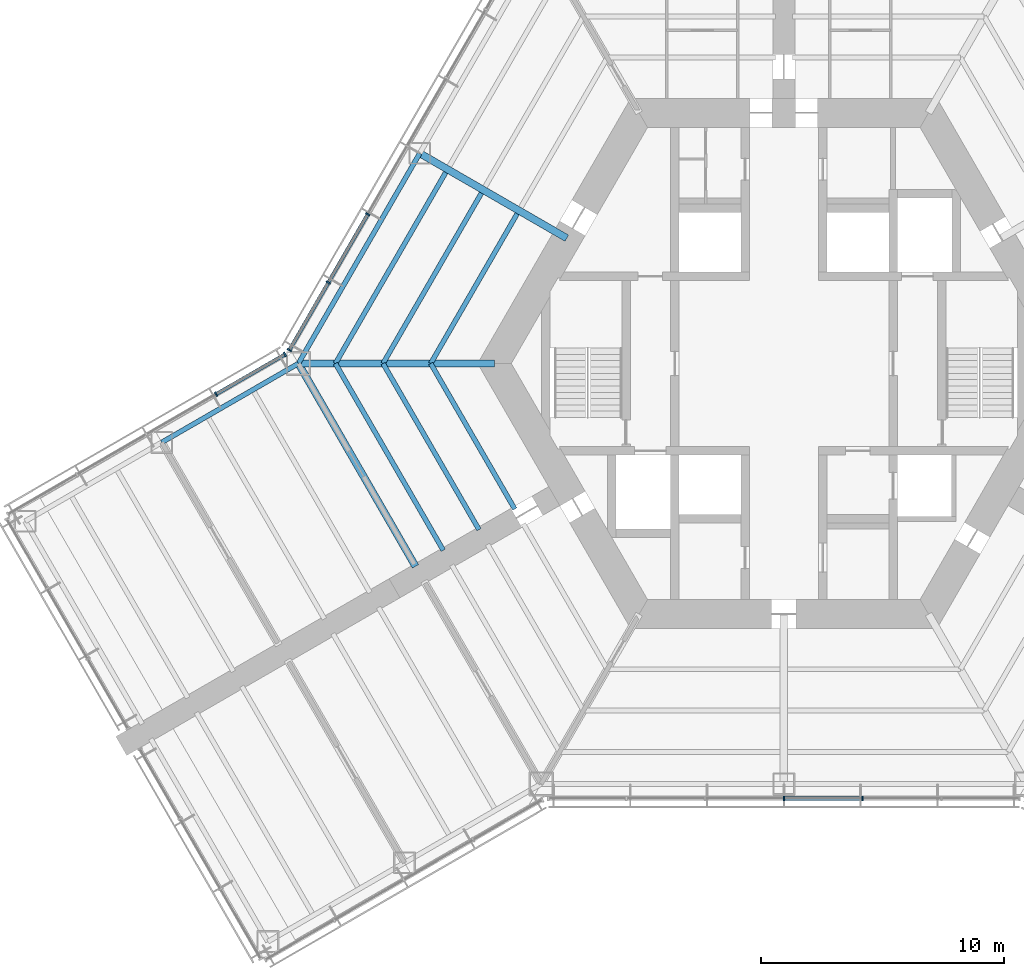
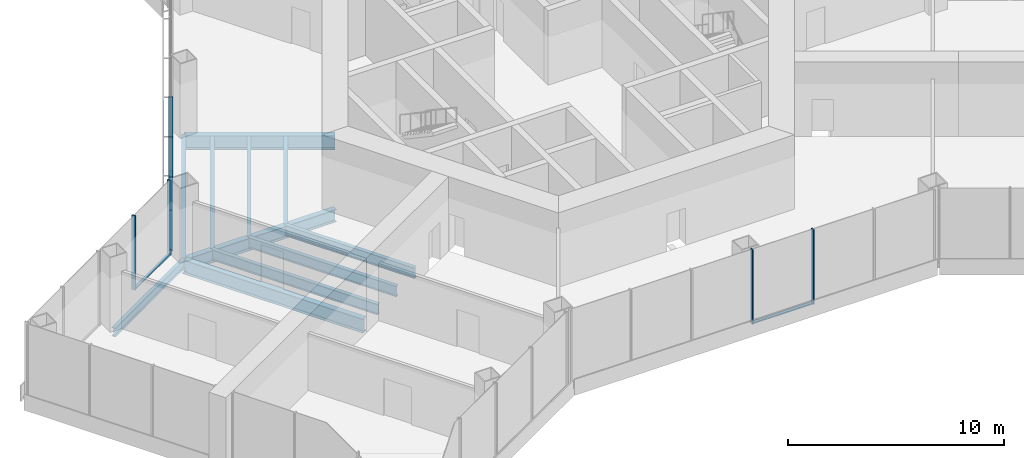
# One storey, part 3 of 15: 11 beams, 11 members, 3 elements without a shape of their own.
"""IFC4 building model written with IfcOpenShell, lengths in metres."""

from ifc_helpers import new_model, si_unit, direction, frame, origin, origin_2d, place, context, subcontext, project, spatial, rectangle, i_section, extrude, material, material_profile, profile_set, type_object, element, aggregate, save


model = new_model("IFC4")

# Units and contexts
model_context = context("Model", 3, precision=1e-05, world=origin(), true_north=direction((0.0, 1.0)))
body_context = subcontext(model_context, "Body", "Model", "MODEL_VIEW")
ifc_project = project(units=[si_unit("LENGTHUNIT", "METRE"), si_unit("AREAUNIT", "SQUARE_METRE"), si_unit("VOLUMEUNIT", "CUBIC_METRE"), si_unit("PLANEANGLEUNIT", "RADIAN"), si_unit("MASSUNIT", "GRAM", prefix="KILO")], contexts=[model_context])

# Site, building, storey
site_placement = place(None, origin())
site = spatial("IfcSite", under=ifc_project, at=site_placement, CompositionType="ELEMENT")
building_placement = place(site_placement, origin())
building = spatial("IfcBuilding", under=site, at=building_placement, Name="Kasaneha Research Tower", CompositionType="ELEMENT")
storey_placement = place(building_placement, frame((0.0, 0.0, 35.199951171875)))
storey = spatial("IfcBuildingStorey", under=building, at=storey_placement, Name="L09", CompositionType="ELEMENT", Elevation=35.199951171875)

# Beams
ifc_material_1 = material(Name="Steel SN490B", Category="steel")
ifc_material_profile_1 = material_profile(ifc_material_1, i_section(OverallWidth=0.199951171875, OverallDepth=0.60009765625, WebThickness=0.010986328125, FlangeThickness=0.01708984375, FilletRadius=0.012939453125, at=origin_2d()), Name="H-600x200x11x17")
ifc_profile_set_1 = profile_set([ifc_material_profile_1], Name="Steel SN490B")
beam_type_1 = type_object("IfcBeamType", Name="B1-2 secondary beam H-600x200x11x17", PredefinedType="JOIST", material=ifc_profile_set_1)
beam_1_placement = place(storey_placement, frame((-14.54931640625, 0.0, -0.469970703125), z_axis=(0.500016104636, 0.866016105569, 0.0), x_axis=(-0.866016105569, 0.500016104636, 0.0)))
element("IfcBeam", 1, at=beam_1_placement, inside=storey, type_object=beam_type_1, Name="Secondary beam RS150R1 L09", PredefinedType="JOIST", context=body_context, shape_type="SweptSolid", body=[
    extrude(i_section(OverallWidth=0.199951171875, OverallDepth=0.60009765625, WebThickness=0.010986328125, FlangeThickness=0.01708984375, FilletRadius=0.012939453125, at=origin_2d()), origin(), (0.0, 0.0, 1.0), 7.124755859375),
])
beam_2_placement = place(storey_placement, frame((-16.51220703125, 0.0, -0.469970703125), z_axis=(0.49999707157, 0.866027094508, 0.0), x_axis=(-0.866027094508, 0.49999707157, 0.0)))
element("IfcBeam", 2, at=beam_2_placement, inside=storey, type_object=beam_type_1, Name="Secondary beam RS150R2 L09", PredefinedType="JOIST", context=body_context, shape_type="SweptSolid", body=[
    extrude(i_section(OverallWidth=0.199951171875, OverallDepth=0.60009765625, WebThickness=0.010986328125, FlangeThickness=0.01708984375, FilletRadius=0.012939453125, at=origin_2d()), origin(), (0.0, 0.0, 1.0), 8.10595703125),
])
beam_3_placement = place(storey_placement, frame((-18.47509765625, 0.0, -0.469970703125), z_axis=(0.499990665392, 0.866030793056, 0.0), x_axis=(-0.866030793056, 0.499990665392, 0.0)))
element("IfcBeam", 3, at=beam_3_placement, inside=storey, type_object=beam_type_1, Name="Secondary beam RS150R3 L09", PredefinedType="JOIST", context=body_context, shape_type="SweptSolid", body=[
    extrude(i_section(OverallWidth=0.199951171875, OverallDepth=0.60009765625, WebThickness=0.010986328125, FlangeThickness=0.01708984375, FilletRadius=0.012939453125, at=origin_2d()), origin(), (0.0, 0.0, 1.0), 9.087646484375),
])
beam_4_placement = place(storey_placement, frame((-14.54931640625, 0.0, -0.469970703125), z_axis=(0.500014420154, -0.866017078145, 0.0), x_axis=(0.866017078145, 0.500014420154, 0.0)))
element("IfcBeam", 4, at=beam_4_placement, inside=storey, type_object=beam_type_1, Name="Secondary beam RS210L1 L09", PredefinedType="JOIST", context=body_context, shape_type="SweptSolid", body=[
    extrude(i_section(OverallWidth=0.199951171875, OverallDepth=0.60009765625, WebThickness=0.010986328125, FlangeThickness=0.01708984375, FilletRadius=0.012939453125, at=origin_2d()), origin(), (0.0, 0.0, 1.0), 6.924560546875),
])
beam_5_placement = place(storey_placement, frame((-16.51220703125, 0.0, -0.469970703125), z_axis=(0.500004902938, -0.866022573054, 0.0), x_axis=(0.866022573054, 0.500004902938, 0.0)))
element("IfcBeam", 5, at=beam_5_placement, inside=storey, type_object=beam_type_1, Name="Secondary beam RS210L2 L09", PredefinedType="JOIST", context=body_context, shape_type="SweptSolid", body=[
    extrude(i_section(OverallWidth=0.199951171875, OverallDepth=0.60009765625, WebThickness=0.010986328125, FlangeThickness=0.01708984375, FilletRadius=0.012939453125, at=origin_2d()), origin(), (0.0, 0.0, 1.0), 7.90625),
])
beam_6_placement = place(storey_placement, frame((-18.47509765625, 0.0, -0.469970703125), z_axis=(0.499988779951, -0.866031881586, 0.0), x_axis=(0.866031881586, 0.499988779951, 0.0)))
element("IfcBeam", 6, at=beam_6_placement, inside=storey, type_object=beam_type_1, Name="Secondary beam RS210L3 L09", PredefinedType="JOIST", context=body_context, shape_type="SweptSolid", body=[
    extrude(i_section(OverallWidth=0.199951171875, OverallDepth=0.60009765625, WebThickness=0.010986328125, FlangeThickness=0.01708984375, FilletRadius=0.012939453125, at=origin_2d()), origin(), (0.0, 0.0, 1.0), 8.887451171875),
])

# Curtain wall, members
ifc_material_2 = material(Name="Glass and aluminium", Category="aluminium")
curtain_wall_type = type_object("IfcCurtainWallType", Name="Dry laboratory curtain wall", PredefinedType="USERDEFINED", material=ifc_material_2)
curtain_wall_1_placement = place(storey_placement, origin())
curtain_wall_1 = element("IfcCurtainWall", 7, at=curtain_wall_1_placement, inside=storey, type_object=curtain_wall_type, Name="CW-L2 L09 run 02a", ObjectType="UNITISED CURTAIN WALL", PredefinedType="USERDEFINED")
ifc_material_3 = material(Name="Aluminium 6063-T6", Category="aluminium")
ifc_material_profile_2 = material_profile(ifc_material_3, rectangle(XDim=0.06494140625, YDim=0.199951171875, at=origin_2d()), Name="CW-L2 mullion 65x200")
ifc_profile_set_2 = profile_set([ifc_material_profile_2], Name="Aluminium 6063-T6")
member_type_1 = type_object("IfcMemberType", Name="CW-L2 mullion", PredefinedType="MULLION", material=ifc_profile_set_2)
member_1_placement = place(storey_placement, frame((0.0, -17.92041015625, 0.0), z_axis=(0.0, 0.0, 1.0), x_axis=(1.0, 0.0, 0.0)))
member_1 = element("IfcMember", 8, at=member_1_placement, type_object=member_type_1, Name="CW-L2 mullion 4", PredefinedType="MULLION", context=body_context, shape_type="SweptSolid", body=[
    extrude(rectangle(XDim=0.06494140625, YDim=0.199951171875, at=origin_2d()), origin(), (0.0, 0.0, 1.0), 4.199951171875),
])
member_2_placement = place(storey_placement, frame((3.246337890625, -17.92041015625, 0.0), z_axis=(0.0, 0.0, 1.0), x_axis=(1.0, 0.0, 0.0)))
member_2 = element("IfcMember", 9, at=member_2_placement, type_object=member_type_1, Name="CW-L2 mullion 5", PredefinedType="MULLION", context=body_context, shape_type="SweptSolid", body=[
    extrude(rectangle(XDim=0.06494140625, YDim=0.199951171875, at=origin_2d()), origin(), (0.0, 0.0, 1.0), 4.199951171875),
])

curtain_wall_2_placement = place(storey_placement, origin())
curtain_wall_2 = element("IfcCurtainWall", 10, at=curtain_wall_2_placement, inside=storey, type_object=curtain_wall_type, Name="CW-L2 L09 run 12a", ObjectType="UNITISED CURTAIN WALL", PredefinedType="USERDEFINED")
member_3_placement = place(storey_placement, frame((-17.142822265625, 6.148681640625, 0.0), z_axis=(0.0, 0.0, 1.0), x_axis=(-0.49999996188, -0.866025425793, 0.0)))
member_3 = element("IfcMember", 11, at=member_3_placement, type_object=member_type_1, Name="CW-L2 mullion 5", PredefinedType="MULLION", context=body_context, shape_type="SweptSolid", body=[
    extrude(rectangle(XDim=0.06494140625, YDim=0.199951171875, at=origin_2d()), origin(), (0.0, 0.0, 1.0), 4.199951171875),
])
member_4_placement = place(storey_placement, frame((-18.76611328125, 3.33740234375, 0.0), z_axis=(0.0, 0.0, 1.0), x_axis=(-0.49999996188, -0.866025425793, 0.0)))
member_4 = element("IfcMember", 12, at=member_4_placement, type_object=member_type_1, Name="CW-L2 mullion 6", PredefinedType="MULLION", context=body_context, shape_type="SweptSolid", body=[
    extrude(rectangle(XDim=0.06494140625, YDim=0.199951171875, at=origin_2d()), origin(), (0.0, 0.0, 1.0), 4.199951171875),
])
member_5_placement = place(storey_placement, frame((-20.373046875, 0.553955078125, 0.0), z_axis=(0.0, 0.0, 1.0), x_axis=(-0.49999996188, -0.866025425793, 0.0)))
member_5 = element("IfcMember", 13, at=member_5_placement, type_object=member_type_1, Name="CW-L2 mullion 7", PredefinedType="MULLION", context=body_context, shape_type="SweptSolid", body=[
    extrude(rectangle(XDim=0.06494140625, YDim=0.199951171875, at=origin_2d()), origin(), (0.0, 0.0, 1.0), 4.199951171875),
])

curtain_wall_3_placement = place(storey_placement, origin())
curtain_wall_3 = element("IfcCurtainWall", 14, at=curtain_wall_3_placement, inside=storey, type_object=curtain_wall_type, Name="CW-L2 L09 run 13a", ObjectType="UNITISED CURTAIN WALL", PredefinedType="USERDEFINED")
member_6_placement = place(storey_placement, frame((-20.553955078125, 0.373046875, 0.0), z_axis=(0.0, 0.0, 1.0), x_axis=(-0.866025411464, -0.499999986699, 0.0)))
member_6 = element("IfcMember", 15, at=member_6_placement, type_object=member_type_1, Name="CW-L2 mullion 1", PredefinedType="MULLION", context=body_context, shape_type="SweptSolid", body=[
    extrude(rectangle(XDim=0.06494140625, YDim=0.199951171875, at=origin_2d()), origin(), (0.0, 0.0, 1.0), 4.199951171875),
])
member_7_placement = place(storey_placement, frame((-23.39208984375, -1.265625, 0.0), z_axis=(0.0, 0.0, 1.0), x_axis=(-0.866025411464, -0.499999986699, 0.0)))
member_7 = element("IfcMember", 16, at=member_7_placement, type_object=member_type_1, Name="CW-L2 mullion 2", PredefinedType="MULLION", context=body_context, shape_type="SweptSolid", body=[
    extrude(rectangle(XDim=0.06494140625, YDim=0.199951171875, at=origin_2d()), origin(), (0.0, 0.0, 1.0), 4.199951171875),
])

# Member
ifc_material_4 = material(Name="Aluminium 6063-T6", Category="aluminium")
ifc_material_profile_3 = material_profile(ifc_material_4, rectangle(XDim=0.14990234375, YDim=0.06494140625, at=origin_2d()), Name="CW-L2 transom 150x65")
ifc_profile_set_3 = profile_set([ifc_material_profile_3], Name="Aluminium 6063-T6")
member_type_2 = type_object("IfcMemberType", Name="CW-L2 transom", PredefinedType="USERDEFINED", material=ifc_profile_set_3)
member_8_placement = place(storey_placement, frame((0.032470703125, -17.92041015625, 0.032470703125), z_axis=(1.0, 0.0, 0.0), x_axis=(0.0, 1.0, 0.0)))
member_8 = element("IfcMember", 17, at=member_8_placement, type_object=member_type_2, Name="CW-L2 transom 4", ObjectType="TRANSOM", PredefinedType="USERDEFINED", context=body_context, shape_type="SweptSolid", body=[
    extrude(rectangle(XDim=0.14990234375, YDim=0.06494140625, at=origin_2d()), origin(), (0.0, 0.0, 1.0), 3.181396484375),
])

aggregate(curtain_wall_1, [member_1, member_2, member_8])

member_9_placement = place(storey_placement, frame((-17.1591796875, 6.12060546875, 0.032470703125), z_axis=(-0.499977104415, -0.866038622153, 0.0), x_axis=(0.866038622153, -0.499977104415, 0.0)))
member_9 = element("IfcMember", 18, at=member_9_placement, type_object=member_type_2, Name="CW-L2 transom 5", ObjectType="TRANSOM", PredefinedType="USERDEFINED", context=body_context, shape_type="SweptSolid", body=[
    extrude(rectangle(XDim=0.14990234375, YDim=0.06494140625, at=origin_2d()), origin(), (0.0, 0.0, 1.0), 3.181396484375),
])

member_10_placement = place(storey_placement, frame((-18.7822265625, 3.30908203125, 0.032470703125), z_axis=(-0.49999985423, -0.866025487945, 0.0), x_axis=(0.866025487945, -0.49999985423, 0.0)))
member_10 = element("IfcMember", 19, at=member_10_placement, type_object=member_type_2, Name="CW-L2 transom 6", ObjectType="TRANSOM", PredefinedType="USERDEFINED", context=body_context, shape_type="SweptSolid", body=[
    extrude(rectangle(XDim=0.14990234375, YDim=0.06494140625, at=origin_2d()), origin(), (0.0, 0.0, 1.0), 3.14892578125),
])

aggregate(curtain_wall_2, [member_3, member_4, member_5, member_9, member_10])

member_11_placement = place(storey_placement, frame((-20.58203125, 0.356689453125, 0.032470703125), z_axis=(-0.866022320763, -0.500005339912, 0.0), x_axis=(0.500005339912, -0.866022320763, 0.0)))
member_11 = element("IfcMember", 20, at=member_11_placement, type_object=member_type_2, Name="CW-L2 transom 1", ObjectType="TRANSOM", PredefinedType="USERDEFINED", context=body_context, shape_type="SweptSolid", body=[
    extrude(rectangle(XDim=0.14990234375, YDim=0.06494140625, at=origin_2d()), origin(), (0.0, 0.0, 1.0), 3.21240234375),
])

aggregate(curtain_wall_3, [member_6, member_7, member_11])

# Beams
ifc_material_5 = material(Name="Steel SN490B", Category="steel")
ifc_material_profile_4 = material_profile(ifc_material_5, i_section(OverallWidth=0.300048828125, OverallDepth=0.699951171875, WebThickness=0.012939453125, FlangeThickness=0.02392578125, FilletRadius=0.01806640625, at=origin_2d()), Name="H-700x300x13x24")
ifc_profile_set_4 = profile_set([ifc_material_profile_4], Name="Steel SN490B")
beam_type_2 = type_object("IfcBeamType", Name="G1-2 radial girder H-700x300x13x24", PredefinedType="BEAM", material=ifc_profile_set_4)
beam_7_placement = place(storey_placement, frame((-11.92236328125, 0.0, -0.52001953125), z_axis=(-1.0, 0.0, 0.0), x_axis=(0.0, -1.0, 0.0)))
element("IfcBeam", 21, at=beam_7_placement, inside=storey, type_object=beam_type_2, Name="Radial girder RV180 L09", PredefinedType="BEAM", context=body_context, shape_type="SweptSolid", body=[
    extrude(i_section(OverallWidth=0.300048828125, OverallDepth=0.699951171875, WebThickness=0.012939453125, FlangeThickness=0.02392578125, FilletRadius=0.01806640625, at=origin_2d()), origin(), (0.0, 0.0, 1.0), 8.07763671875),
])
ifc_material_6 = material(Name="Steel SN490B", Category="steel")
ifc_material_profile_5 = material_profile(ifc_material_6, i_section(OverallWidth=0.300048828125, OverallDepth=0.800048828125, WebThickness=0.013916015625, FlangeThickness=0.02587890625, FilletRadius=0.01806640625, at=origin_2d()), Name="H-800x300x14x26")
ifc_profile_set_5 = profile_set([ifc_material_profile_5], Name="Steel SN490B")
beam_type_3 = type_object("IfcBeamType", Name="G2-2 radial girder H-800x300x14x26", PredefinedType="BEAM", material=ifc_profile_set_5)
beam_8_placement = place(storey_placement, frame((-8.941650390625, 5.16259765625, -0.570068359375), z_axis=(-0.866039713508, 0.499975214012, 0.0), x_axis=(-0.499975214012, -0.866039713508, 0.0)))
element("IfcBeam", 22, at=beam_8_placement, inside=storey, type_object=beam_type_3, Name="Radial girder RM150 L09", PredefinedType="BEAM", context=body_context, shape_type="SweptSolid", body=[
    extrude(i_section(OverallWidth=0.300048828125, OverallDepth=0.800048828125, WebThickness=0.013916015625, FlangeThickness=0.02587890625, FilletRadius=0.01806640625, at=origin_2d()), origin(), (0.0, 0.0, 1.0), 6.995361328125),
])
ifc_material_7 = material(Name="Steel SN490B", Category="steel")
ifc_material_profile_6 = material_profile(ifc_material_7, i_section(OverallWidth=0.300048828125, OverallDepth=0.7919921875, WebThickness=0.013916015625, FlangeThickness=0.02197265625, FilletRadius=0.01806640625, at=origin_2d()), Name="H-792x300x14x22")
ifc_profile_set_6 = profile_set([ifc_material_profile_6], Name="Steel SN490B")
beam_type_4 = type_object("IfcBeamType", Name="G3-2 plate edge girder H-792x300x14x22", PredefinedType="BEAM", material=ifc_profile_set_6)
beam_9_placement = place(storey_placement, frame((-20.0, 0.0, -0.56591796875), z_axis=(0.499994742786, -0.866028439017, 0.0), x_axis=(0.866028439017, 0.499994742786, 0.0)))
element("IfcBeam", 23, at=beam_9_placement, inside=storey, type_object=beam_type_4, Name="Plate edge girder PEBP L09", PredefinedType="BEAM", context=body_context, shape_type="SweptSolid", body=[
    extrude(i_section(OverallWidth=0.300048828125, OverallDepth=0.7919921875, WebThickness=0.013916015625, FlangeThickness=0.02197265625, FilletRadius=0.01806640625, at=origin_2d()), origin(), (0.0, 0.0, 1.0), 9.64990234375),
])
ifc_material_8 = material(Name="Steel SN490B", Category="steel")
ifc_material_profile_7 = material_profile(ifc_material_8, i_section(OverallWidth=0.199951171875, OverallDepth=0.60009765625, WebThickness=0.010986328125, FlangeThickness=0.01708984375, FilletRadius=0.012939453125, at=origin_2d()), Name="H-600x200x11x17")
ifc_profile_set_7 = profile_set([ifc_material_profile_7], Name="Steel SN490B")
beam_type_5 = type_object("IfcBeamType", Name="SB1-2 spandrel beam H-600x200x11x17", PredefinedType="SPANDREL", material=ifc_profile_set_7)
beam_10_placement = place(storey_placement, frame((-20.0, 0.0, -0.469970703125), z_axis=(0.500004234368, 0.866022959057, 0.0), x_axis=(-0.866022959057, 0.500004234368, 0.0)))
element("IfcBeam", 24, at=beam_10_placement, inside=storey, type_object=beam_type_5, Name="Spandrel beam SR150R L09", PredefinedType="SPANDREL", context=body_context, shape_type="SweptSolid", body=[
    extrude(i_section(OverallWidth=0.199951171875, OverallDepth=0.60009765625, WebThickness=0.010986328125, FlangeThickness=0.01708984375, FilletRadius=0.012939453125, at=origin_2d()), origin(), (0.0, 0.0, 1.0), 10.0),
])
ifc_material_9 = material(Name="Steel SN490B", Category="steel")
ifc_material_profile_8 = material_profile(ifc_material_9, i_section(OverallWidth=0.199951171875, OverallDepth=0.5, WebThickness=0.010009765625, FlangeThickness=0.01611328125, FilletRadius=0.012939453125, at=origin_2d()), Name="H-500x200x10x16")
ifc_profile_set_8 = profile_set([ifc_material_profile_8], Name="Steel SN490B")
beam_type_6 = type_object("IfcBeamType", Name="SB2-2 spandrel beam H-500x200x10x16", PredefinedType="SPANDREL", material=ifc_profile_set_8)
beam_11_placement = place(storey_placement, frame((-20.0, 0.0, -0.419921875), z_axis=(-0.866024837091, -0.50000098154, 0.0), x_axis=(0.50000098154, -0.866024837091, 0.0)))
element("IfcBeam", 25, at=beam_11_placement, inside=storey, type_object=beam_type_6, Name="Spandrel beam WSBP1 L09", PredefinedType="SPANDREL", context=body_context, shape_type="SweptSolid", body=[
    extrude(i_section(OverallWidth=0.199951171875, OverallDepth=0.5, WebThickness=0.010009765625, FlangeThickness=0.01611328125, FilletRadius=0.012939453125, at=origin_2d()), origin(), (0.0, 0.0, 1.0), 6.5),
])

save(model, "model.ifc")
